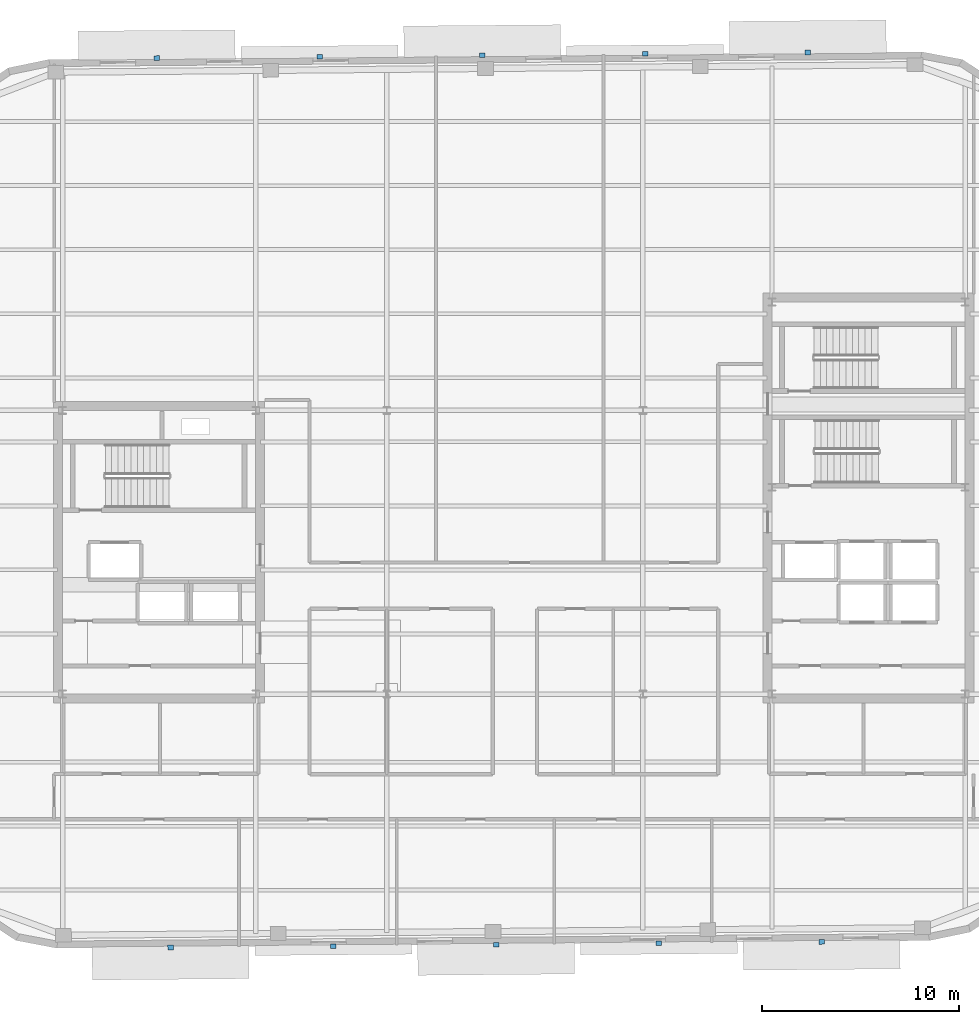
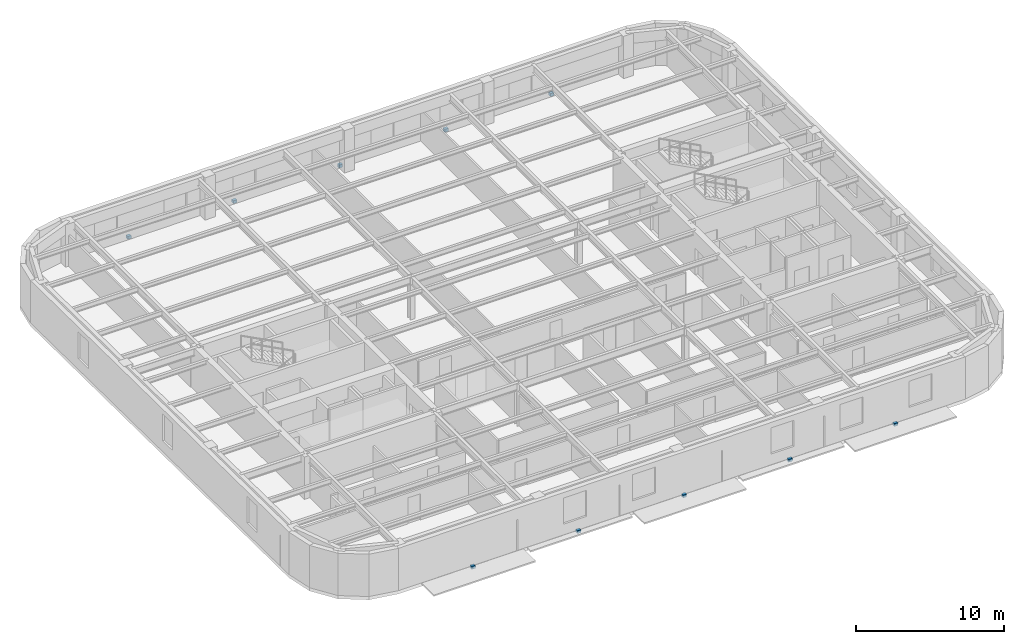
# One storey, part 10 of 13: 10 discrete accessories.
"""IFC4 building model written with IfcOpenShell, lengths in metres."""

from ifc_helpers import new_model, si_unit, direction, frame, origin, origin_2d, place, context, subcontext, project, spatial, rectangle, extrude, material, type_object, element, save


model = new_model("IFC4")

# Units and contexts
model_context = context("Model", 3, precision=1e-05, world=origin(), true_north=direction((0.0, 1.0)))
body_context = subcontext(model_context, "Body", "Model", "MODEL_VIEW")
ifc_project = project(units=[si_unit("LENGTHUNIT", "METRE"), si_unit("AREAUNIT", "SQUARE_METRE"), si_unit("VOLUMEUNIT", "CUBIC_METRE"), si_unit("PLANEANGLEUNIT", "RADIAN"), si_unit("MASSUNIT", "GRAM", prefix="KILO")], contexts=[model_context])

# Site, building, storey
site_placement = place(None, origin())
site = spatial("IfcSite", under=ifc_project, at=site_placement, CompositionType="ELEMENT")
building_placement = place(site_placement, origin())
building = spatial("IfcBuilding", under=site, at=building_placement, Name="Kolvaren Arena Tower", CompositionType="ELEMENT")
storey_placement = place(building_placement, frame((0.0, 0.0, 286.14990234375)))
storey = spatial("IfcBuildingStorey", under=building, at=storey_placement, Name="L70", CompositionType="ELEMENT", Elevation=286.14990234375)

# Discrete accessories
ifc_material = material(Name="Stainless steel facade support bracket", Category="steel")
discrete_accessory_type = type_object("IfcDiscreteAccessoryType", Name="ACC-BRKT-1", PredefinedType="BRACKET", material=ifc_material)
for number, where, z_axis, x_axis, name in (
    (1, (19.333740234375, 51.7236328125, -0.1796875), (0.0, 0.0, 1.0), (0.999961923064, 0.008726535498, 0.0), "Sunshade Support Bracket (L70)"),
    (2, (27.593505859375, 51.795654296875, -0.1796875), (0.0, 0.0, 1.0), (0.999961923064, 0.008726535498, 0.0), "Sunshade Support Bracket (L70)"),
    (3, (35.85302734375, 51.867919921875, -0.1796875), (0.0, 0.0, 1.0), (0.999961923064, 0.008726535498, 0.0), "Sunshade Support Bracket (L70)"),
    (4, (44.11279296875, 51.93994140625, -0.1796875), (0.0, 0.0, 1.0), (0.999961923064, 0.008726535498, 0.0), "Sunshade Support Bracket (L70)"),
    (5, (52.372314453125, 52.011962890625, -0.1796875), (0.0, 0.0, 1.0), (0.999961923064, 0.008726535498, 0.0), "Sunshade Support Bracket (L70)"),
    (6, (53.06640625, 6.87646484375, -0.1796875), (0.0, 0.0, 1.0), (-0.999961923064, -0.008726535498, 0.0), "Sunshade Support Bracket (L70)"),
    (7, (44.806640625, 6.80419921875, -0.1796875), (0.0, 0.0, 1.0), (-0.999961923064, -0.008726535498, 0.0), "Sunshade Support Bracket (L70)"),
    (8, (36.546875, 6.732177734375, -0.1796875), (0.0, 0.0, 1.0), (-0.999961923064, -0.008726535498, 0.0), "Sunshade Support Bracket (L70)"),
    (9, (28.287109375, 6.66015625, -0.1796875), (0.0, 0.0, 1.0), (-0.999961923064, -0.008726535498, 0.0), "Sunshade Support Bracket (L70)"),
    (10, (20.027587890625, 6.587890625, -0.1796875), (0.0, 0.0, 1.0), (-0.999961923064, -0.008726535498, 0.0), "Sunshade Support Bracket (L70)"),
):
    element("IfcDiscreteAccessory", number, at=place(storey_placement, frame(where, z_axis=z_axis, x_axis=x_axis)), inside=storey, type_object=discrete_accessory_type, Name=name, PredefinedType="BRACKET", context=body_context, shape_type="SweptSolid", body=[
        extrude(rectangle(XDim=0.280029296875, YDim=0.239990234375, at=origin_2d()), origin(), (0.0, 0.0, 1.0), 0.239990234375),
    ])

save(model, "model.ifc")
